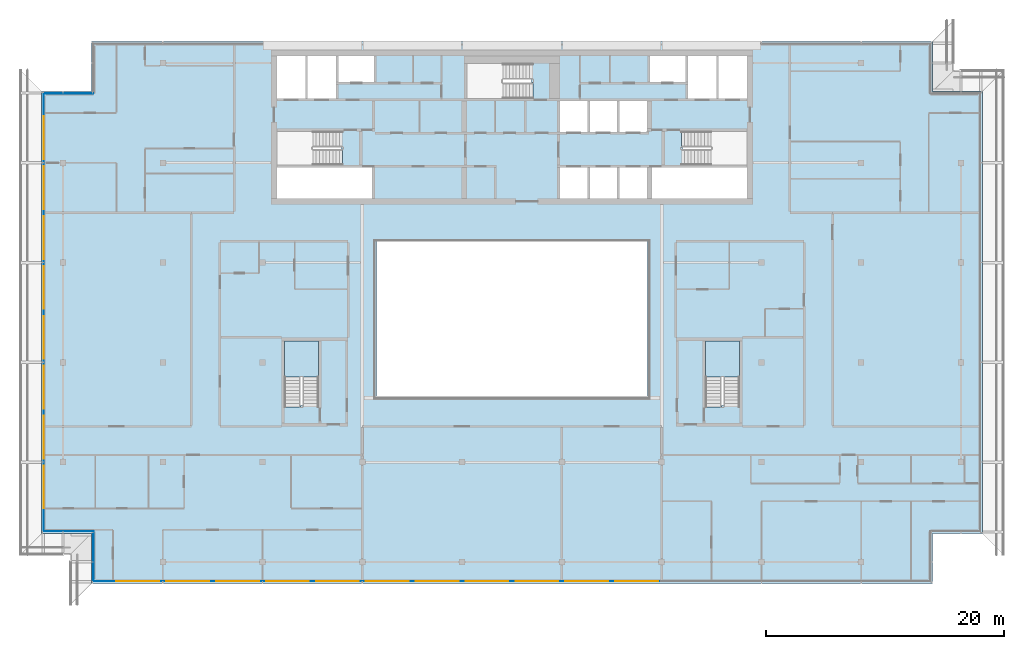
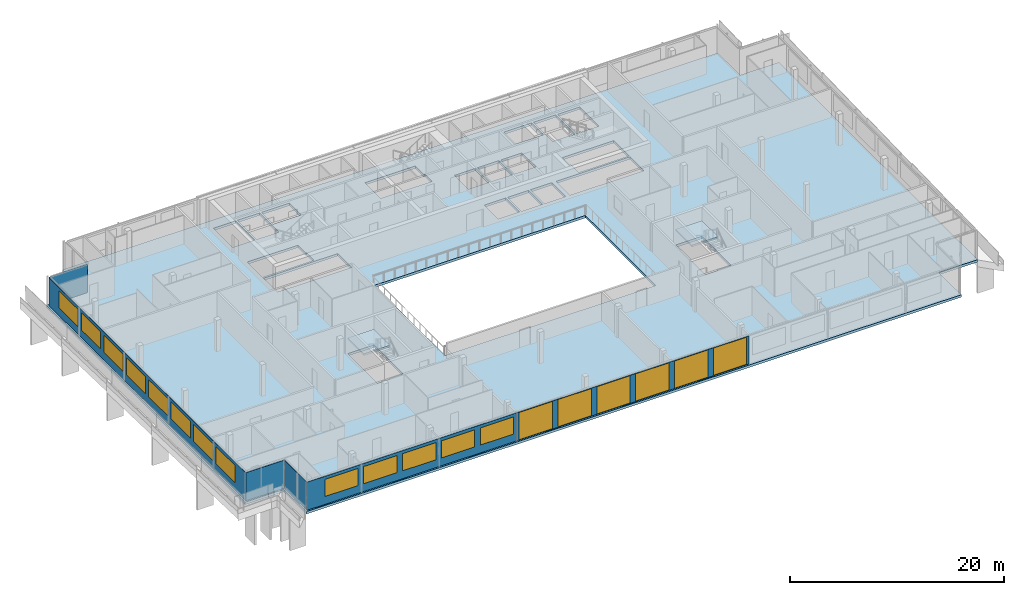
# One storey, part 14 of 27: 19 windows, 6 plates, 3 slabs, 19 openings, 7 elements without a shape of their own.
"""IFC4 building model written with IfcOpenShell, lengths in metres."""

from ifc_helpers import new_model, si_unit, direction, frame, frame_2d, origin, place, context, subcontext, project, spatial, polyline, rectangle, outline, extrude, material, layer, layer_set, type_object, element, fill, aggregate, save


model = new_model("IFC4")

# Units and contexts
model_context = context("Model", 3, precision=1e-05, world=origin(), true_north=direction((0.0, 1.0)))
body_context = subcontext(model_context, "Body", "Model", "MODEL_VIEW")
ifc_project = project(units=[si_unit("LENGTHUNIT", "METRE"), si_unit("AREAUNIT", "SQUARE_METRE"), si_unit("VOLUMEUNIT", "CUBIC_METRE"), si_unit("PLANEANGLEUNIT", "RADIAN"), si_unit("MASSUNIT", "GRAM", prefix="KILO")], contexts=[model_context])

# Site, building, storey
site_placement = place(None, origin())
site = spatial("IfcSite", under=ifc_project, at=site_placement, CompositionType="ELEMENT")
building_placement = place(site_placement, origin())
building = spatial("IfcBuilding", under=site, at=building_placement, Name="Saffron Gate Tower", CompositionType="ELEMENT")
storey_placement = place(building_placement, frame((0.0, 0.0, 267.14990234375)))
storey = spatial("IfcBuildingStorey", under=building, at=storey_placement, Name="L64", CompositionType="ELEMENT", Elevation=267.14990234375)

# Curtain wall, plates, openings, windows
ifc_material_1 = material(Name="Aluminium, bronze anodised", Category="aluminium")
curtain_wall_type_1 = type_object("IfcCurtainWallType", Name="CWS1 curtain wall front facade", PredefinedType="NOTDEFINED", material=ifc_material_1)
curtain_wall_1_placement = place(storey_placement, origin())
curtain_wall_1 = element("IfcCurtainWall", 1, at=curtain_wall_1_placement, inside=storey, type_object=curtain_wall_type_1, Name="CWS1 run 1", PredefinedType="NOTDEFINED")
ifc_material_2 = material(Name="Clear low-iron laminated glass", Category="glass")
ifc_layer_1 = layer(ifc_material_2, 0.028076171875)
ifc_layer_set_1 = layer_set([ifc_layer_1], Name="CWS1 clear glass")
plate_type_1 = type_object("IfcPlateType", Name="CWS1 clear glass", PredefinedType="CURTAIN_PANEL", material=ifc_layer_set_1)
plate_1_placement = place(storey_placement, frame((75.030029296875, 30.174072265625, 0.0), z_axis=(0.0, 0.0, 1.0), x_axis=(1.0, 0.0, 0.0)))
plate_1 = element("IfcPlate", 2, at=plate_1_placement, type_object=plate_type_1, Name="CWS1 clear glass panel", PredefinedType="CURTAIN_PANEL", context=body_context, shape_type="SweptSolid", body=[
    extrude(rectangle(XDim=25.139892578125, YDim=0.028076171875, at=frame_2d((12.56982421875, 0.0))), origin(), (0.0, 0.0, 1.0), 3.2001953125),
])
opening_1_placement = place(plate_1_placement, frame((0.27001953125, 0.0, 0.050048828125)))
opening_1 = element("IfcOpeningElement", 3, at=opening_1_placement, cuts=plate_1, Name="Opening WA", PredefinedType="OPENING", context=body_context, shape_type="SweptSolid", body=[
    extrude(rectangle(XDim=3.60009765625, YDim=3.10009765625, at=frame_2d((1.800048828125, 1.550048828125))), frame((0.0, 0.02392578125, 0.0), z_axis=(0.0, -1.0, 0.0), x_axis=(1.0, 0.0, 0.0)), (0.0, 0.0, 1.0), 0.048095703125),
])
opening_2_placement = place(plate_1_placement, frame((4.469970703125, 0.0, 0.050048828125)))
opening_2 = element("IfcOpeningElement", 4, at=opening_2_placement, cuts=plate_1, Name="Opening WA", PredefinedType="OPENING", context=body_context, shape_type="SweptSolid", body=[
    extrude(rectangle(XDim=3.60009765625, YDim=3.10009765625, at=frame_2d((1.800048828125, 1.550048828125))), frame((0.0, 0.02392578125, 0.0), z_axis=(0.0, -1.0, 0.0), x_axis=(1.0, 0.0, 0.0)), (0.0, 0.0, 1.0), 0.048095703125),
])
opening_3_placement = place(plate_1_placement, frame((8.669921875, 0.0, 0.050048828125)))
opening_3 = element("IfcOpeningElement", 5, at=opening_3_placement, cuts=plate_1, Name="Opening WA", PredefinedType="OPENING", context=body_context, shape_type="SweptSolid", body=[
    extrude(rectangle(XDim=3.60009765625, YDim=3.10009765625, at=frame_2d((1.800048828125, 1.550048828125))), frame((0.0, 0.02392578125, 0.0), z_axis=(0.0, -1.0, 0.0), x_axis=(1.0, 0.0, 0.0)), (0.0, 0.0, 1.0), 0.048095703125),
])
opening_4_placement = place(plate_1_placement, frame((12.8701171875, 0.0, 0.050048828125)))
opening_4 = element("IfcOpeningElement", 6, at=opening_4_placement, cuts=plate_1, Name="Opening WA", PredefinedType="OPENING", context=body_context, shape_type="SweptSolid", body=[
    extrude(rectangle(XDim=3.60009765625, YDim=3.10009765625, at=frame_2d((1.800048828125, 1.550048828125))), frame((0.0, 0.02392578125, 0.0), z_axis=(0.0, -1.0, 0.0), x_axis=(1.0, 0.0, 0.0)), (0.0, 0.0, 1.0), 0.048095703125),
])
opening_5_placement = place(plate_1_placement, frame((17.070068359375, 0.0, 0.050048828125)))
opening_5 = element("IfcOpeningElement", 7, at=opening_5_placement, cuts=plate_1, Name="Opening WA", PredefinedType="OPENING", context=body_context, shape_type="SweptSolid", body=[
    extrude(rectangle(XDim=3.60009765625, YDim=3.10009765625, at=frame_2d((1.800048828125, 1.550048828125))), frame((0.0, 0.02392578125, 0.0), z_axis=(0.0, -1.0, 0.0), x_axis=(1.0, 0.0, 0.0)), (0.0, 0.0, 1.0), 0.048095703125),
])
opening_6_placement = place(plate_1_placement, frame((21.27001953125, 0.0, 0.050048828125)))
opening_6 = element("IfcOpeningElement", 8, at=opening_6_placement, cuts=plate_1, Name="Opening WA", PredefinedType="OPENING", context=body_context, shape_type="SweptSolid", body=[
    extrude(rectangle(XDim=3.60009765625, YDim=3.10009765625, at=frame_2d((1.800048828125, 1.550048828125))), frame((0.0, 0.02392578125, 0.0), z_axis=(0.0, -1.0, 0.0), x_axis=(1.0, 0.0, 0.0)), (0.0, 0.0, 1.0), 0.048095703125),
])
ifc_material_3 = material(Name="Clear low-iron laminated glass in bronze frame", Category="glass")
ifc_layer_2 = layer(ifc_material_3, 0.06005859375)
ifc_layer_set_2 = layer_set([ifc_layer_2], Name="WA operable atrium unit 3600x3100")
window_type_1 = type_object("IfcWindowType", Name="WA operable atrium unit 3600x3100", PartitioningType="DOUBLE_PANEL_HORIZONTAL", PredefinedType="WINDOW", material=ifc_layer_set_2)
window_1_placement = place(opening_1_placement, origin())
window_1 = element("IfcWindow", 9, at=window_1_placement, type_object=window_type_1, Name="WA operable atrium unit", OverallHeight=3.10009765625, OverallWidth=3.60009765625, PartitioningType="SINGLE_PANEL", PredefinedType="WINDOW", context=body_context, shape_type="SweptSolid", body=[
    extrude(rectangle(XDim=3.60009765625, YDim=3.10009765625, at=frame_2d((1.800048828125, 1.550048828125))), frame((0.0, 0.013671875, 0.0), z_axis=(0.0, -1.0, 0.0), x_axis=(1.0, 0.0, 0.0)), (0.0, 0.0, 1.0), 0.027587890625),
])
fill(opening_1, window_1)
window_2_placement = place(opening_2_placement, origin())
window_2 = element("IfcWindow", 10, at=window_2_placement, type_object=window_type_1, Name="WA operable atrium unit", OverallHeight=3.10009765625, OverallWidth=3.60009765625, PartitioningType="SINGLE_PANEL", PredefinedType="WINDOW", context=body_context, shape_type="SweptSolid", body=[
    extrude(rectangle(XDim=3.60009765625, YDim=3.10009765625, at=frame_2d((1.800048828125, 1.550048828125))), frame((0.0, 0.013671875, 0.0), z_axis=(0.0, -1.0, 0.0), x_axis=(1.0, 0.0, 0.0)), (0.0, 0.0, 1.0), 0.027587890625),
])
fill(opening_2, window_2)
window_3_placement = place(opening_3_placement, origin())
window_3 = element("IfcWindow", 11, at=window_3_placement, type_object=window_type_1, Name="WA operable atrium unit", OverallHeight=3.10009765625, OverallWidth=3.60009765625, PartitioningType="SINGLE_PANEL", PredefinedType="WINDOW", context=body_context, shape_type="SweptSolid", body=[
    extrude(rectangle(XDim=3.60009765625, YDim=3.10009765625, at=frame_2d((1.800048828125, 1.550048828125))), frame((0.0, 0.013671875, 0.0), z_axis=(0.0, -1.0, 0.0), x_axis=(1.0, 0.0, 0.0)), (0.0, 0.0, 1.0), 0.027587890625),
])
fill(opening_3, window_3)
window_4_placement = place(opening_4_placement, origin())
window_4 = element("IfcWindow", 12, at=window_4_placement, type_object=window_type_1, Name="WA operable atrium unit", OverallHeight=3.10009765625, OverallWidth=3.60009765625, PartitioningType="SINGLE_PANEL", PredefinedType="WINDOW", context=body_context, shape_type="SweptSolid", body=[
    extrude(rectangle(XDim=3.60009765625, YDim=3.10009765625, at=frame_2d((1.800048828125, 1.550048828125))), frame((0.0, 0.013671875, 0.0), z_axis=(0.0, -1.0, 0.0), x_axis=(1.0, 0.0, 0.0)), (0.0, 0.0, 1.0), 0.027587890625),
])
fill(opening_4, window_4)
window_5_placement = place(opening_5_placement, origin())
window_5 = element("IfcWindow", 13, at=window_5_placement, type_object=window_type_1, Name="WA operable atrium unit", OverallHeight=3.10009765625, OverallWidth=3.60009765625, PartitioningType="SINGLE_PANEL", PredefinedType="WINDOW", context=body_context, shape_type="SweptSolid", body=[
    extrude(rectangle(XDim=3.60009765625, YDim=3.10009765625, at=frame_2d((1.800048828125, 1.550048828125))), frame((0.0, 0.013671875, 0.0), z_axis=(0.0, -1.0, 0.0), x_axis=(1.0, 0.0, 0.0)), (0.0, 0.0, 1.0), 0.027587890625),
])
fill(opening_5, window_5)
window_6_placement = place(opening_6_placement, origin())
window_6 = element("IfcWindow", 14, at=window_6_placement, type_object=window_type_1, Name="WA operable atrium unit", OverallHeight=3.10009765625, OverallWidth=3.60009765625, PartitioningType="SINGLE_PANEL", PredefinedType="WINDOW", context=body_context, shape_type="SweptSolid", body=[
    extrude(rectangle(XDim=3.60009765625, YDim=3.10009765625, at=frame_2d((1.800048828125, 1.550048828125))), frame((0.0, 0.013671875, 0.0), z_axis=(0.0, -1.0, 0.0), x_axis=(1.0, 0.0, 0.0)), (0.0, 0.0, 1.0), 0.027587890625),
])
fill(opening_6, window_6)
ifc_material_4 = material(Name="Fritted bronze-tinted laminated glass", Category="glass")
ifc_layer_3 = layer(ifc_material_4, 0.028076171875)
ifc_layer_set_3 = layer_set([ifc_layer_3], Name="CWS1 fixed glass")
plate_type_2 = type_object("IfcPlateType", Name="CWS1 fixed glass", PredefinedType="CURTAIN_PANEL", material=ifc_layer_set_3)
plate_2_placement = place(storey_placement, frame((52.387939453125, 30.174072265625, 0.0), z_axis=(0.0, 0.0, 1.0), x_axis=(1.0, 0.0, 0.0)))
plate_2 = element("IfcPlate", 15, at=plate_2_placement, type_object=plate_type_2, Name="CWS1 glass panel", PredefinedType="CURTAIN_PANEL", context=body_context, shape_type="SweptSolid", body=[
    extrude(rectangle(XDim=22.64208984375, YDim=0.028076171875, at=frame_2d((11.321044921875, 0.0))), origin(), (0.0, 0.0, 1.0), 3.2001953125),
])
opening_7_placement = place(plate_2_placement, frame((1.912109375, 0.0, 0.89990234375)))
opening_7 = element("IfcOpeningElement", 16, at=opening_7_placement, cuts=plate_2, Name="Opening W1", PredefinedType="OPENING", context=body_context, shape_type="SweptSolid", body=[
    extrude(rectangle(XDim=3.60009765625, YDim=1.949951171875, at=frame_2d((1.800048828125, 0.97509765625))), frame((0.0, 0.02392578125, 0.0), z_axis=(0.0, -1.0, 0.0), x_axis=(1.0, 0.0, 0.0)), (0.0, 0.0, 1.0), 0.048095703125),
])
opening_8_placement = place(plate_2_placement, frame((6.112060546875, 0.0, 0.89990234375)))
opening_8 = element("IfcOpeningElement", 17, at=opening_8_placement, cuts=plate_2, Name="Opening W1", PredefinedType="OPENING", context=body_context, shape_type="SweptSolid", body=[
    extrude(rectangle(XDim=3.60009765625, YDim=1.949951171875, at=frame_2d((1.800048828125, 0.97509765625))), frame((0.0, 0.02392578125, 0.0), z_axis=(0.0, -1.0, 0.0), x_axis=(1.0, 0.0, 0.0)), (0.0, 0.0, 1.0), 0.048095703125),
])
opening_9_placement = place(plate_2_placement, frame((10.31201171875, 0.0, 0.89990234375)))
opening_9 = element("IfcOpeningElement", 18, at=opening_9_placement, cuts=plate_2, Name="Opening W1", PredefinedType="OPENING", context=body_context, shape_type="SweptSolid", body=[
    extrude(rectangle(XDim=3.60009765625, YDim=1.949951171875, at=frame_2d((1.800048828125, 0.97509765625))), frame((0.0, 0.02392578125, 0.0), z_axis=(0.0, -1.0, 0.0), x_axis=(1.0, 0.0, 0.0)), (0.0, 0.0, 1.0), 0.048095703125),
])
opening_10_placement = place(plate_2_placement, frame((14.511962890625, 0.0, 0.89990234375)))
opening_10 = element("IfcOpeningElement", 19, at=opening_10_placement, cuts=plate_2, Name="Opening W1", PredefinedType="OPENING", context=body_context, shape_type="SweptSolid", body=[
    extrude(rectangle(XDim=3.60009765625, YDim=1.949951171875, at=frame_2d((1.800048828125, 0.97509765625))), frame((0.0, 0.02392578125, 0.0), z_axis=(0.0, -1.0, 0.0), x_axis=(1.0, 0.0, 0.0)), (0.0, 0.0, 1.0), 0.048095703125),
])
opening_11_placement = place(plate_2_placement, frame((18.7119140625, 0.0, 0.89990234375)))
opening_11 = element("IfcOpeningElement", 20, at=opening_11_placement, cuts=plate_2, Name="Opening W1", PredefinedType="OPENING", context=body_context, shape_type="SweptSolid", body=[
    extrude(rectangle(XDim=3.60009765625, YDim=1.949951171875, at=frame_2d((1.800048828125, 0.97509765625))), frame((0.0, 0.02392578125, 0.0), z_axis=(0.0, -1.0, 0.0), x_axis=(1.0, 0.0, 0.0)), (0.0, 0.0, 1.0), 0.048095703125),
])
ifc_material_5 = material(Name="Fritted bronze-tinted laminated glass in bronze frame", Category="glass")
ifc_layer_4 = layer(ifc_material_5, 0.06005859375)
ifc_layer_set_4 = layer_set([ifc_layer_4], Name="W1 operable panel 3600x1950")
window_type_2 = type_object("IfcWindowType", Name="W1 operable panel 3600x1950", PartitioningType="DOUBLE_PANEL_HORIZONTAL", PredefinedType="WINDOW", material=ifc_layer_set_4)
window_7_placement = place(opening_7_placement, origin())
window_7 = element("IfcWindow", 21, at=window_7_placement, type_object=window_type_2, Name="W1 operable panel", OverallHeight=1.949951171875, OverallWidth=3.60009765625, PartitioningType="SINGLE_PANEL", PredefinedType="WINDOW", context=body_context, shape_type="SweptSolid", body=[
    extrude(rectangle(XDim=3.60009765625, YDim=1.949951171875, at=frame_2d((1.800048828125, 0.97509765625))), frame((0.0, 0.013671875, 0.0), z_axis=(0.0, -1.0, 0.0), x_axis=(1.0, 0.0, 0.0)), (0.0, 0.0, 1.0), 0.027587890625),
])
fill(opening_7, window_7)
window_8_placement = place(opening_8_placement, origin())
window_8 = element("IfcWindow", 22, at=window_8_placement, type_object=window_type_2, Name="W1 operable panel", OverallHeight=1.949951171875, OverallWidth=3.60009765625, PartitioningType="SINGLE_PANEL", PredefinedType="WINDOW", context=body_context, shape_type="SweptSolid", body=[
    extrude(rectangle(XDim=3.60009765625, YDim=1.949951171875, at=frame_2d((1.800048828125, 0.97509765625))), frame((0.0, 0.013671875, 0.0), z_axis=(0.0, -1.0, 0.0), x_axis=(1.0, 0.0, 0.0)), (0.0, 0.0, 1.0), 0.027587890625),
])
fill(opening_8, window_8)
window_9_placement = place(opening_9_placement, origin())
window_9 = element("IfcWindow", 23, at=window_9_placement, type_object=window_type_2, Name="W1 operable panel", OverallHeight=1.949951171875, OverallWidth=3.60009765625, PartitioningType="SINGLE_PANEL", PredefinedType="WINDOW", context=body_context, shape_type="SweptSolid", body=[
    extrude(rectangle(XDim=3.60009765625, YDim=1.949951171875, at=frame_2d((1.800048828125, 0.97509765625))), frame((0.0, 0.013671875, 0.0), z_axis=(0.0, -1.0, 0.0), x_axis=(1.0, 0.0, 0.0)), (0.0, 0.0, 1.0), 0.027587890625),
])
fill(opening_9, window_9)
window_10_placement = place(opening_10_placement, origin())
window_10 = element("IfcWindow", 24, at=window_10_placement, type_object=window_type_2, Name="W1 operable panel", OverallHeight=1.949951171875, OverallWidth=3.60009765625, PartitioningType="SINGLE_PANEL", PredefinedType="WINDOW", context=body_context, shape_type="SweptSolid", body=[
    extrude(rectangle(XDim=3.60009765625, YDim=1.949951171875, at=frame_2d((1.800048828125, 0.97509765625))), frame((0.0, 0.013671875, 0.0), z_axis=(0.0, -1.0, 0.0), x_axis=(1.0, 0.0, 0.0)), (0.0, 0.0, 1.0), 0.027587890625),
])
fill(opening_10, window_10)
window_11_placement = place(opening_11_placement, origin())
window_11 = element("IfcWindow", 25, at=window_11_placement, type_object=window_type_2, Name="W1 operable panel", OverallHeight=1.949951171875, OverallWidth=3.60009765625, PartitioningType="SINGLE_PANEL", PredefinedType="WINDOW", context=body_context, shape_type="SweptSolid", body=[
    extrude(rectangle(XDim=3.60009765625, YDim=1.949951171875, at=frame_2d((1.800048828125, 0.97509765625))), frame((0.0, 0.013671875, 0.0), z_axis=(0.0, -1.0, 0.0), x_axis=(1.0, 0.0, 0.0)), (0.0, 0.0, 1.0), 0.027587890625),
])
fill(opening_11, window_11)
aggregate(curtain_wall_1, [plate_2, plate_1, window_7, window_8, window_9, window_10, window_11, window_1, window_2, window_3, window_4, window_5, window_6])

# Curtain wall, plate, openings, windows
curtain_wall_type_2 = type_object("IfcCurtainWallType", Name="CWS2 curtain wall side facades", PredefinedType="NOTDEFINED", material=ifc_material_1)
curtain_wall_2_placement = place(storey_placement, origin())
curtain_wall_2 = element("IfcCurtainWall", 26, at=curtain_wall_2_placement, inside=storey, type_object=curtain_wall_type_2, Name="CWS2 run 10", PredefinedType="NOTDEFINED")
ifc_layer_5 = layer(ifc_material_4, 0.028076171875)
ifc_layer_set_5 = layer_set([ifc_layer_5], Name="CWS2 fixed glass")
plate_type_3 = type_object("IfcPlateType", Name="CWS2 fixed glass", PredefinedType="CURTAIN_PANEL", material=ifc_layer_set_5)
plate_3_placement = place(storey_placement, frame((48.174072265625, 71.2119140625, 0.0), z_axis=(0.0, 0.0, 1.0), x_axis=(0.0, -1.0, 0.0)))
plate_3 = element("IfcPlate", 27, at=plate_3_placement, type_object=plate_type_3, Name="CWS2 glass panel", PredefinedType="CURTAIN_PANEL", context=body_context, shape_type="SweptSolid", body=[
    extrude(rectangle(XDim=36.823974609375, YDim=0.028076171875, at=frame_2d((18.412109375, 0.0))), origin(), (0.0, 0.0, 1.0), 3.2001953125),
])
opening_12_placement = place(plate_3_placement, frame((1.912109375, 0.0, 0.89990234375)))
opening_12 = element("IfcOpeningElement", 28, at=opening_12_placement, cuts=plate_3, Name="Opening W1", PredefinedType="OPENING", context=body_context, shape_type="SweptSolid", body=[
    extrude(rectangle(XDim=3.60009765625, YDim=1.949951171875, at=frame_2d((1.800048828125, 0.97509765625))), frame((0.0, 0.02392578125, 0.0), z_axis=(0.0, -1.0, 0.0), x_axis=(1.0, 0.0, 0.0)), (0.0, 0.0, 1.0), 0.048095703125),
])
opening_13_placement = place(plate_3_placement, frame((6.112060546875, 0.0, 0.89990234375)))
opening_13 = element("IfcOpeningElement", 29, at=opening_13_placement, cuts=plate_3, Name="Opening W1", PredefinedType="OPENING", context=body_context, shape_type="SweptSolid", body=[
    extrude(rectangle(XDim=3.60009765625, YDim=1.949951171875, at=frame_2d((1.800048828125, 0.97509765625))), frame((0.0, 0.02392578125, 0.0), z_axis=(0.0, -1.0, 0.0), x_axis=(1.0, 0.0, 0.0)), (0.0, 0.0, 1.0), 0.048095703125),
])
opening_14_placement = place(plate_3_placement, frame((10.31201171875, 0.0, 0.89990234375)))
opening_14 = element("IfcOpeningElement", 30, at=opening_14_placement, cuts=plate_3, Name="Opening W1", PredefinedType="OPENING", context=body_context, shape_type="SweptSolid", body=[
    extrude(rectangle(XDim=3.60009765625, YDim=1.949951171875, at=frame_2d((1.800048828125, 0.97509765625))), frame((0.0, 0.02392578125, 0.0), z_axis=(0.0, -1.0, 0.0), x_axis=(1.0, 0.0, 0.0)), (0.0, 0.0, 1.0), 0.048095703125),
])
opening_15_placement = place(plate_3_placement, frame((14.511962890625, 0.0, 0.89990234375)))
opening_15 = element("IfcOpeningElement", 31, at=opening_15_placement, cuts=plate_3, Name="Opening W1", PredefinedType="OPENING", context=body_context, shape_type="SweptSolid", body=[
    extrude(rectangle(XDim=3.60009765625, YDim=1.949951171875, at=frame_2d((1.800048828125, 0.97509765625))), frame((0.0, 0.02392578125, 0.0), z_axis=(0.0, -1.0, 0.0), x_axis=(1.0, 0.0, 0.0)), (0.0, 0.0, 1.0), 0.048095703125),
])
opening_16_placement = place(plate_3_placement, frame((18.7119140625, 0.0, 0.89990234375)))
opening_16 = element("IfcOpeningElement", 32, at=opening_16_placement, cuts=plate_3, Name="Opening W1", PredefinedType="OPENING", context=body_context, shape_type="SweptSolid", body=[
    extrude(rectangle(XDim=3.60009765625, YDim=1.949951171875, at=frame_2d((1.800048828125, 0.97509765625))), frame((0.0, 0.02392578125, 0.0), z_axis=(0.0, -1.0, 0.0), x_axis=(1.0, 0.0, 0.0)), (0.0, 0.0, 1.0), 0.048095703125),
])
opening_17_placement = place(plate_3_placement, frame((22.912109375, 0.0, 0.89990234375)))
opening_17 = element("IfcOpeningElement", 33, at=opening_17_placement, cuts=plate_3, Name="Opening W1", PredefinedType="OPENING", context=body_context, shape_type="SweptSolid", body=[
    extrude(rectangle(XDim=3.60009765625, YDim=1.949951171875, at=frame_2d((1.800048828125, 0.97509765625))), frame((0.0, 0.02392578125, 0.0), z_axis=(0.0, -1.0, 0.0), x_axis=(1.0, 0.0, 0.0)), (0.0, 0.0, 1.0), 0.048095703125),
])
opening_18_placement = place(plate_3_placement, frame((27.112060546875, 0.0, 0.89990234375)))
opening_18 = element("IfcOpeningElement", 34, at=opening_18_placement, cuts=plate_3, Name="Opening W1", PredefinedType="OPENING", context=body_context, shape_type="SweptSolid", body=[
    extrude(rectangle(XDim=3.60009765625, YDim=1.949951171875, at=frame_2d((1.800048828125, 0.97509765625))), frame((0.0, 0.02392578125, 0.0), z_axis=(0.0, -1.0, 0.0), x_axis=(1.0, 0.0, 0.0)), (0.0, 0.0, 1.0), 0.048095703125),
])
opening_19_placement = place(plate_3_placement, frame((31.31201171875, 0.0, 0.89990234375)))
opening_19 = element("IfcOpeningElement", 35, at=opening_19_placement, cuts=plate_3, Name="Opening W1", PredefinedType="OPENING", context=body_context, shape_type="SweptSolid", body=[
    extrude(rectangle(XDim=3.60009765625, YDim=1.949951171875, at=frame_2d((1.800048828125, 0.97509765625))), frame((0.0, 0.02392578125, 0.0), z_axis=(0.0, -1.0, 0.0), x_axis=(1.0, 0.0, 0.0)), (0.0, 0.0, 1.0), 0.048095703125),
])
window_12_placement = place(opening_12_placement, origin())
window_12 = element("IfcWindow", 36, at=window_12_placement, type_object=window_type_2, Name="W1 operable panel", OverallHeight=1.949951171875, OverallWidth=3.60009765625, PartitioningType="SINGLE_PANEL", PredefinedType="WINDOW", context=body_context, shape_type="SweptSolid", body=[
    extrude(rectangle(XDim=3.60009765625, YDim=1.949951171875, at=frame_2d((1.800048828125, 0.97509765625))), frame((0.0, 0.013671875, 0.0), z_axis=(0.0, -1.0, 0.0), x_axis=(1.0, 0.0, 0.0)), (0.0, 0.0, 1.0), 0.027587890625),
])
fill(opening_12, window_12)
window_13_placement = place(opening_13_placement, origin())
window_13 = element("IfcWindow", 37, at=window_13_placement, type_object=window_type_2, Name="W1 operable panel", OverallHeight=1.949951171875, OverallWidth=3.60009765625, PartitioningType="SINGLE_PANEL", PredefinedType="WINDOW", context=body_context, shape_type="SweptSolid", body=[
    extrude(rectangle(XDim=3.60009765625, YDim=1.949951171875, at=frame_2d((1.800048828125, 0.97509765625))), frame((0.0, 0.013671875, 0.0), z_axis=(0.0, -1.0, 0.0), x_axis=(1.0, 0.0, 0.0)), (0.0, 0.0, 1.0), 0.027587890625),
])
fill(opening_13, window_13)
window_14_placement = place(opening_14_placement, origin())
window_14 = element("IfcWindow", 38, at=window_14_placement, type_object=window_type_2, Name="W1 operable panel", OverallHeight=1.949951171875, OverallWidth=3.60009765625, PartitioningType="SINGLE_PANEL", PredefinedType="WINDOW", context=body_context, shape_type="SweptSolid", body=[
    extrude(rectangle(XDim=3.60009765625, YDim=1.949951171875, at=frame_2d((1.800048828125, 0.97509765625))), frame((0.0, 0.013671875, 0.0), z_axis=(0.0, -1.0, 0.0), x_axis=(1.0, 0.0, 0.0)), (0.0, 0.0, 1.0), 0.027587890625),
])
fill(opening_14, window_14)
window_15_placement = place(opening_15_placement, origin())
window_15 = element("IfcWindow", 39, at=window_15_placement, type_object=window_type_2, Name="W1 operable panel", OverallHeight=1.949951171875, OverallWidth=3.60009765625, PartitioningType="SINGLE_PANEL", PredefinedType="WINDOW", context=body_context, shape_type="SweptSolid", body=[
    extrude(rectangle(XDim=3.60009765625, YDim=1.949951171875, at=frame_2d((1.800048828125, 0.97509765625))), frame((0.0, 0.013671875, 0.0), z_axis=(0.0, -1.0, 0.0), x_axis=(1.0, 0.0, 0.0)), (0.0, 0.0, 1.0), 0.027587890625),
])
fill(opening_15, window_15)
window_16_placement = place(opening_16_placement, origin())
window_16 = element("IfcWindow", 40, at=window_16_placement, type_object=window_type_2, Name="W1 operable panel", OverallHeight=1.949951171875, OverallWidth=3.60009765625, PartitioningType="SINGLE_PANEL", PredefinedType="WINDOW", context=body_context, shape_type="SweptSolid", body=[
    extrude(rectangle(XDim=3.60009765625, YDim=1.949951171875, at=frame_2d((1.800048828125, 0.97509765625))), frame((0.0, 0.013671875, 0.0), z_axis=(0.0, -1.0, 0.0), x_axis=(1.0, 0.0, 0.0)), (0.0, 0.0, 1.0), 0.027587890625),
])
fill(opening_16, window_16)
window_17_placement = place(opening_17_placement, origin())
window_17 = element("IfcWindow", 41, at=window_17_placement, type_object=window_type_2, Name="W1 operable panel", OverallHeight=1.949951171875, OverallWidth=3.60009765625, PartitioningType="SINGLE_PANEL", PredefinedType="WINDOW", context=body_context, shape_type="SweptSolid", body=[
    extrude(rectangle(XDim=3.60009765625, YDim=1.949951171875, at=frame_2d((1.800048828125, 0.97509765625))), frame((0.0, 0.013671875, 0.0), z_axis=(0.0, -1.0, 0.0), x_axis=(1.0, 0.0, 0.0)), (0.0, 0.0, 1.0), 0.027587890625),
])
fill(opening_17, window_17)
window_18_placement = place(opening_18_placement, origin())
window_18 = element("IfcWindow", 42, at=window_18_placement, type_object=window_type_2, Name="W1 operable panel", OverallHeight=1.949951171875, OverallWidth=3.60009765625, PartitioningType="SINGLE_PANEL", PredefinedType="WINDOW", context=body_context, shape_type="SweptSolid", body=[
    extrude(rectangle(XDim=3.60009765625, YDim=1.949951171875, at=frame_2d((1.800048828125, 0.97509765625))), frame((0.0, 0.013671875, 0.0), z_axis=(0.0, -1.0, 0.0), x_axis=(1.0, 0.0, 0.0)), (0.0, 0.0, 1.0), 0.027587890625),
])
fill(opening_18, window_18)
window_19_placement = place(opening_19_placement, origin())
window_19 = element("IfcWindow", 43, at=window_19_placement, type_object=window_type_2, Name="W1 operable panel", OverallHeight=1.949951171875, OverallWidth=3.60009765625, PartitioningType="SINGLE_PANEL", PredefinedType="WINDOW", context=body_context, shape_type="SweptSolid", body=[
    extrude(rectangle(XDim=3.60009765625, YDim=1.949951171875, at=frame_2d((1.800048828125, 0.97509765625))), frame((0.0, 0.013671875, 0.0), z_axis=(0.0, -1.0, 0.0), x_axis=(1.0, 0.0, 0.0)), (0.0, 0.0, 1.0), 0.027587890625),
])
fill(opening_19, window_19)
aggregate(curtain_wall_2, [plate_3, window_12, window_13, window_14, window_15, window_16, window_17, window_18, window_19])

# Curtain wall, plate
curtain_wall_type_3 = type_object("IfcCurtainWallType", Name="CWS4 curtain wall corner returns", PredefinedType="NOTDEFINED", material=ifc_material_1)
curtain_wall_3_placement = place(storey_placement, origin())
curtain_wall_3 = element("IfcCurtainWall", 44, at=curtain_wall_3_placement, inside=storey, type_object=curtain_wall_type_3, Name="CWS4 run 9", PredefinedType="NOTDEFINED")
ifc_layer_6 = layer(ifc_material_4, 0.028076171875)
ifc_layer_set_6 = layer_set([ifc_layer_6], Name="CWS4 fixed glass")
plate_type_4 = type_object("IfcPlateType", Name="CWS4 fixed glass", PredefinedType="CURTAIN_PANEL", material=ifc_layer_set_6)
plate_4_placement = place(storey_placement, frame((52.360107421875, 71.22607421875, 0.0), z_axis=(0.0, 0.0, 1.0), x_axis=(-1.0, 0.0, 0.0)))
plate_4 = element("IfcPlate", 45, at=plate_4_placement, type_object=plate_type_4, Name="CWS4 glass panel", PredefinedType="CURTAIN_PANEL", context=body_context, shape_type="SweptSolid", body=[
    extrude(rectangle(XDim=4.172119140625, YDim=0.028076171875, at=frame_2d((2.0859375, 0.0))), origin(), (0.0, 0.0, 1.0), 3.2001953125),
])
aggregate(curtain_wall_3, [plate_4])

curtain_wall_4_placement = place(storey_placement, origin())
curtain_wall_4 = element("IfcCurtainWall", 46, at=curtain_wall_4_placement, inside=storey, type_object=curtain_wall_type_3, Name="CWS4 run 11", PredefinedType="NOTDEFINED")
plate_5_placement = place(storey_placement, frame((48.18798828125, 34.3740234375, 0.0), z_axis=(0.0, 0.0, 1.0), x_axis=(1.0, 0.0, 0.0)))
plate_5 = element("IfcPlate", 47, at=plate_5_placement, type_object=plate_type_4, Name="CWS4 glass panel", PredefinedType="CURTAIN_PANEL", context=body_context, shape_type="SweptSolid", body=[
    extrude(rectangle(XDim=4.172119140625, YDim=0.028076171875, at=frame_2d((2.0859375, 0.0))), origin(), (0.0, 0.0, 1.0), 3.2001953125),
])
aggregate(curtain_wall_4, [plate_5])

curtain_wall_5_placement = place(storey_placement, origin())
curtain_wall_5 = element("IfcCurtainWall", 48, at=curtain_wall_5_placement, inside=storey, type_object=curtain_wall_type_3, Name="CWS4 run 12", PredefinedType="NOTDEFINED")
plate_6_placement = place(storey_placement, frame((52.3740234375, 34.360107421875, 0.0), z_axis=(0.0, 0.0, 1.0), x_axis=(0.0, -1.0, 0.0)))
plate_6 = element("IfcPlate", 49, at=plate_6_placement, type_object=plate_type_4, Name="CWS4 glass panel", PredefinedType="CURTAIN_PANEL", context=body_context, shape_type="SweptSolid", body=[
    extrude(rectangle(XDim=4.172119140625, YDim=0.028076171875, at=frame_2d((2.0859375, 0.0))), origin(), (0.0, 0.0, 1.0), 3.2001953125),
])
aggregate(curtain_wall_5, [plate_6])

# Slab
ifc_material_6 = material(Name="Concrete C40", Category="concrete")
ifc_layer_7 = layer(ifc_material_6, 0.280029296875)
ifc_layer_set_7 = layer_set([ifc_layer_7], Name="S2 FLOOR SLAB 280 CONCRETE C40")
slab_type_1 = type_object("IfcSlabType", Name="S2 FLOOR SLAB 280 CONCRETE C40", PredefinedType="FLOOR", material=ifc_layer_set_7)
slab_1_placement = place(storey_placement, frame((0.0, 0.0, -0.27978515625)))
element("IfcSlab", 50, at=slab_1_placement, inside=storey, type_object=slab_type_1, Name="S2 FLOOR SLAB", PredefinedType="FLOOR", context=body_context, shape_type="SweptSolid", body=[
    extrude(outline(polyline([(48.0, 34.199951171875), (52.199951171875, 34.199951171875), (52.199951171875, 30.0), (123.0, 30.0), (123.0, 34.199951171875), (127.199951171875, 34.199951171875), (127.199951171875, 71.39990234375), (123.0, 71.39990234375), (123.0, 75.60009765625), (52.199951171875, 75.60009765625), (52.199951171875, 71.39990234375), (48.0, 71.39990234375), (48.0, 34.199951171875)]), holes=[polyline([(67.800048828125, 62.39990234375), (67.800048828125, 65.0), (75.800048828125, 65.0), (75.800048828125, 62.39990234375), (67.800048828125, 62.39990234375)]), polyline([(67.800048828125, 65.199951171875), (67.800048828125, 68.050048828125), (73.25, 68.050048828125), (73.25, 66.550048828125), (73.34912109375, 66.550048828125), (73.34912109375, 65.199951171875), (67.800048828125, 65.199951171875)]), polyline([(67.800048828125, 70.800048828125), (67.800048828125, 74.39990234375), (70.199951171875, 74.39990234375), (70.199951171875, 70.800048828125), (67.800048828125, 70.800048828125)]), polyline([(68.449951171875, 44.85107421875), (68.449951171875, 50.39990234375), (71.300048828125, 50.39990234375), (71.300048828125, 44.949951171875), (69.800048828125, 44.949951171875), (69.800048828125, 44.85107421875), (68.449951171875, 44.85107421875)]), polyline([(70.39990234375, 70.800048828125), (70.39990234375, 74.39990234375), (72.800048828125, 74.39990234375), (72.800048828125, 70.800048828125), (70.39990234375, 70.800048828125)]), polyline([(73.0, 72.199951171875), (73.0, 74.39990234375), (76.0, 74.39990234375), (76.0, 72.199951171875), (73.0, 72.199951171875)]), polyline([(76.199951171875, 45.60009765625), (76.199951171875, 58.800048828125), (99.0, 58.800048828125), (99.0, 45.60009765625), (76.199951171875, 45.60009765625)]), polyline([(83.800048828125, 70.800048828125), (83.800048828125, 73.75), (89.25, 73.75), (89.25, 72.14990234375), (89.34912109375, 72.14990234375), (89.34912109375, 70.800048828125), (83.800048828125, 70.800048828125)]), polyline([(91.64990234375, 62.39990234375), (91.64990234375, 65.0), (93.949951171875, 65.0), (93.949951171875, 62.39990234375), (91.64990234375, 62.39990234375)]), polyline([(91.64990234375, 68.0), (91.64990234375, 70.60009765625), (93.949951171875, 70.60009765625), (93.949951171875, 68.0), (91.64990234375, 68.0)]), polyline([(94.14990234375, 62.39990234375), (94.14990234375, 65.0), (96.449951171875, 65.0), (96.449951171875, 62.39990234375), (94.14990234375, 62.39990234375)]), polyline([(94.14990234375, 68.0), (94.14990234375, 70.60009765625), (96.449951171875, 70.60009765625), (96.449951171875, 68.0), (94.14990234375, 68.0)]), polyline([(96.64990234375, 62.39990234375), (96.64990234375, 65.0), (98.949951171875, 65.0), (98.949951171875, 62.39990234375), (96.64990234375, 62.39990234375)]), polyline([(96.64990234375, 68.0), (96.64990234375, 70.60009765625), (98.949951171875, 70.60009765625), (98.949951171875, 68.0), (96.64990234375, 68.0)]), polyline([(99.199951171875, 72.199951171875), (99.199951171875, 74.39990234375), (102.199951171875, 74.39990234375), (102.199951171875, 72.199951171875), (99.199951171875, 72.199951171875)]), polyline([(99.39990234375, 62.39990234375), (99.39990234375, 65.0), (107.39990234375, 65.0), (107.39990234375, 62.39990234375), (99.39990234375, 62.39990234375)]), polyline([(101.85107421875, 66.699951171875), (101.85107421875, 68.050048828125), (107.39990234375, 68.050048828125), (107.39990234375, 65.199951171875), (101.949951171875, 65.199951171875), (101.949951171875, 66.699951171875), (101.85107421875, 66.699951171875)]), polyline([(102.39990234375, 70.800048828125), (102.39990234375, 74.39990234375), (104.800048828125, 74.39990234375), (104.800048828125, 70.800048828125), (102.39990234375, 70.800048828125)]), polyline([(103.89990234375, 44.85107421875), (103.89990234375, 50.39990234375), (106.75, 50.39990234375), (106.75, 44.949951171875), (105.25, 44.949951171875), (105.25, 44.85107421875), (103.89990234375, 44.85107421875)]), polyline([(105.0, 70.800048828125), (105.0, 74.39990234375), (107.39990234375, 74.39990234375), (107.39990234375, 70.800048828125), (105.0, 70.800048828125)])]), origin(), (0.0, 0.0, 1.0), 0.27978515625),
])

# Stair, slab
stair_type = type_object("IfcStairType", Name="ST7 Stair 1350 wide, 20 risers of 180", PredefinedType="HALF_TURN_STAIR", material=ifc_material_6)
stair_1_placement = place(storey_placement, origin())
stair_1 = element("IfcStair", 51, at=stair_1_placement, inside=storey, type_object=stair_type, Name="L64 Exit stair D", PredefinedType="HALF_TURN_STAIR")
ifc_layer_8 = layer(ifc_material_6, 0.199951171875)
ifc_layer_set_8 = layer_set([ifc_layer_8], Name="SL1 Stair landing 200")
slab_type_2 = type_object("IfcSlabType", Name="SL1 Stair landing 200", PredefinedType="LANDING", material=ifc_layer_set_8)
slab_2_placement = place(storey_placement, frame((0.0, 0.0, 1.60009765625)))
slab_2 = element("IfcSlab", 52, at=slab_2_placement, type_object=slab_type_2, Name="ST-D landing 1", PredefinedType="LANDING", context=body_context, shape_type="SweptSolid", body=[
    extrude(outline(polyline([(71.300048828125, 47.3701171875), (71.300048828125, 50.39990234375), (68.449951171875, 50.39990234375), (68.449951171875, 47.3701171875), (71.300048828125, 47.3701171875)])), origin(), (0.0, 0.0, 1.0), 0.199951171875),
])
aggregate(stair_1, [slab_2])

stair_2_placement = place(storey_placement, origin())
stair_2 = element("IfcStair", 53, at=stair_2_placement, inside=storey, type_object=stair_type, Name="L64 Exit stair E", PredefinedType="HALF_TURN_STAIR")
slab_3_placement = place(storey_placement, frame((0.0, 0.0, 1.60009765625)))
slab_3 = element("IfcSlab", 54, at=slab_3_placement, type_object=slab_type_2, Name="ST-E landing 1", PredefinedType="LANDING", context=body_context, shape_type="SweptSolid", body=[
    extrude(outline(polyline([(106.75, 47.3701171875), (106.75, 50.39990234375), (103.89990234375, 50.39990234375), (103.89990234375, 47.3701171875), (106.75, 47.3701171875)])), origin(), (0.0, 0.0, 1.0), 0.199951171875),
])
aggregate(stair_2, [slab_3])

save(model, "model.ifc")
